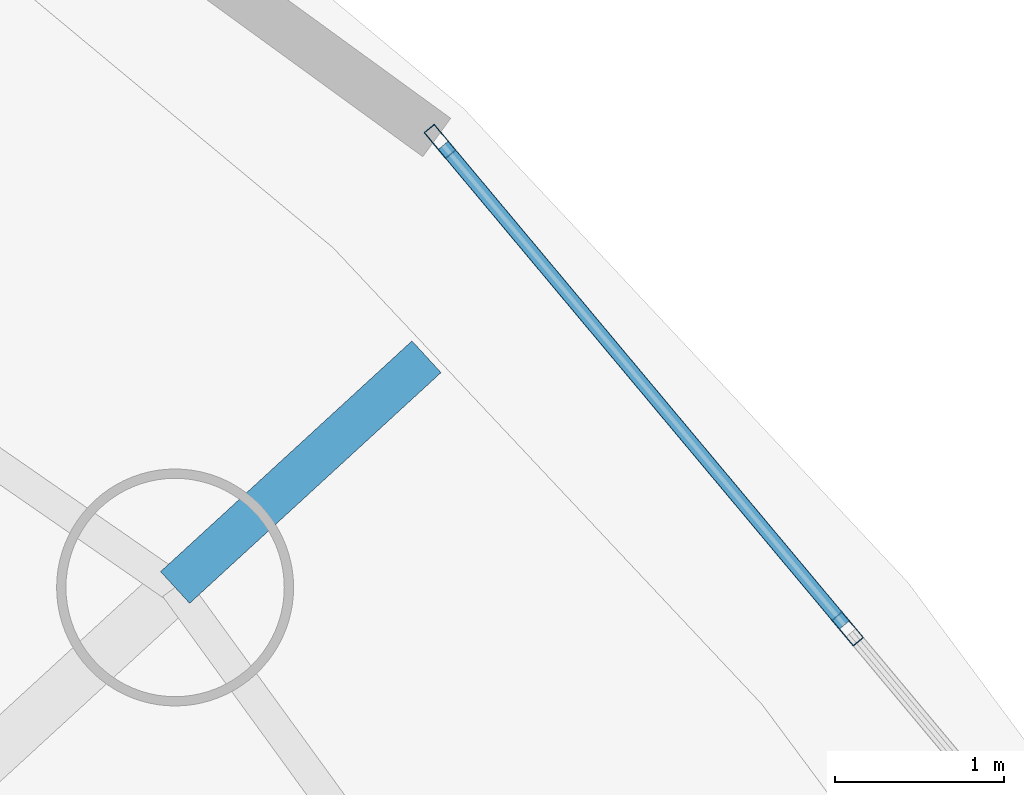
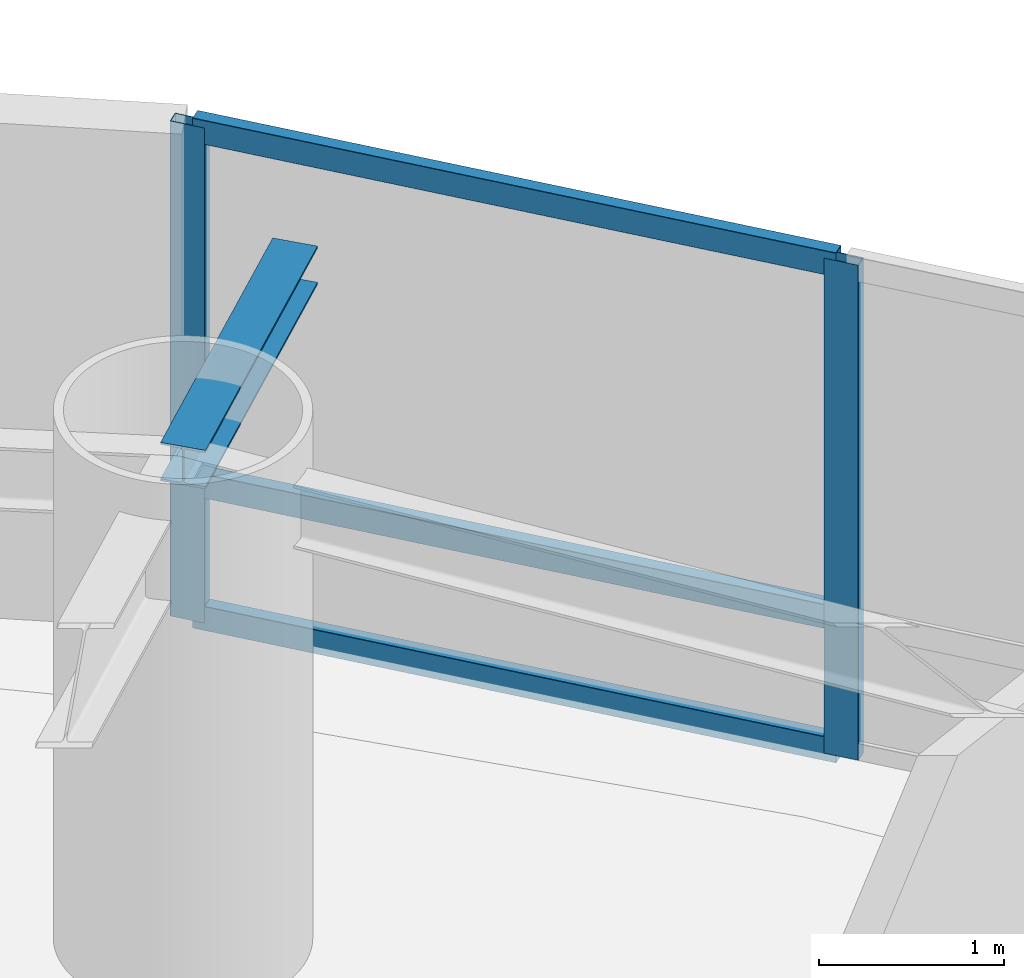
# One storey, part 11 of 20: 5 members, 1 beam, 1 element without a shape of its own.
"""IFC4 building model written with IfcOpenShell, lengths in metres."""

from ifc_helpers import new_model, si_unit, direction, frame, origin, origin_2d, place, context, subcontext, project, spatial, hollow_rectangle, i_section, extrude, material, layer, layer_set, material_profile, profile_set, type_object, element, aggregate, save


model = new_model("IFC4")

# Units and contexts
model_context = context("Model", 3, precision=1e-05, world=origin(), true_north=direction((0.0, 1.0)))
body_context = subcontext(model_context, "Body", "Model", "MODEL_VIEW")
ifc_project = project(units=[si_unit("LENGTHUNIT", "METRE"), si_unit("AREAUNIT", "SQUARE_METRE"), si_unit("VOLUMEUNIT", "CUBIC_METRE"), si_unit("PLANEANGLEUNIT", "RADIAN"), si_unit("MASSUNIT", "GRAM", prefix="KILO")], contexts=[model_context])

# Site, building, storey
site_placement = place(None, origin())
site = spatial("IfcSite", under=ifc_project, at=site_placement, CompositionType="ELEMENT")
building_placement = place(site_placement, origin())
building = spatial("IfcBuilding", under=site, at=building_placement, Name="Bramvorn Convention Spire", CompositionType="ELEMENT")
storey_placement = place(building_placement, frame((0.0, 0.0, 144.800048828125)))
storey = spatial("IfcBuildingStorey", under=building, at=storey_placement, Name="L36", CompositionType="ELEMENT", Elevation=144.800048828125)

# Beam
ifc_material_1 = material(Name="Steel CSA G40.21 Grade 350 (350W)", Category="steel")
ifc_material_profile_1 = material_profile(ifc_material_1, i_section(OverallWidth=0.25390625, OverallDepth=0.2529296875, WebThickness=0.008544921875, FlangeThickness=0.01416015625, FilletRadius=0.011962890625, at=origin_2d()))
ifc_profile_set_1 = profile_set([ifc_material_profile_1], Name="Steel CSA G40.21 Grade 350 (350W) - W250X73")
beam_type = type_object("IfcBeamType", Name="BM-W250X73", PredefinedType="BEAM", material=ifc_profile_set_1)
beam_placement = place(storey_placement, frame((54.534912109375, 38.299072265625, 3.133544921875), z_axis=(0.736792095724, 0.676119373838, 0.0), x_axis=(-0.676119373838, 0.736792095724, 0.0)))
element("IfcBeam", 1, at=beam_placement, inside=storey, type_object=beam_type, Name="L36 slab-edge cantilever tip beam MC04", PredefinedType="BEAM", context=body_context, shape_type="SweptSolid", body=[
    extrude(i_section(OverallWidth=0.25390625, OverallDepth=0.2529296875, WebThickness=0.008544921875, FlangeThickness=0.01416015625, FilletRadius=0.011962890625, at=origin_2d()), origin(), (0.0, 0.0, 1.0), 2.015869140625),
])

# Curtain wall, members
ifc_material_2 = material(Name="Anodised Bronze Unitised Curtain Wall", Category="aluminium")
ifc_layer = layer(ifc_material_2, 0.179931640625)
ifc_layer_set = layer_set([ifc_layer], Name="Anodised Bronze Unitised Curtain Wall - CW-HTL-FRIT")
curtain_wall_type = type_object("IfcCurtainWallType", Name="CW-HTL-FRIT", PredefinedType="USERDEFINED", material=ifc_layer_set)
curtain_wall_placement = place(storey_placement, origin())
curtain_wall = element("IfcCurtainWall", 2, at=curtain_wall_placement, inside=storey, type_object=curtain_wall_type, Name="L36 fritted glass curtain wall 05", ObjectType="UNITISED CURTAIN WALL", PredefinedType="USERDEFINED")
ifc_material_3 = material(Name="Anodised Bronze Aluminium 6063-T6", Category="aluminium")
ifc_material_profile_2 = material_profile(ifc_material_3, hollow_rectangle(XDim=0.080078125, YDim=0.199951171875, WallThickness=0.00390625, InnerFilletRadius=0.0009765625, OuterFilletRadius=0.00390625, at=origin_2d()))
ifc_profile_set_2 = profile_set([ifc_material_profile_2], Name="Anodised Bronze Aluminium 6063-T6 - CWM80X200")
member_type_1 = type_object("IfcMemberType", Name="CW-MUL-180", PredefinedType="MULLION", material=ifc_profile_set_2)
member_1_placement = place(storey_placement, frame((56.099853515625, 40.9345703125, 0.0), z_axis=(0.0, 0.0, 1.0), x_axis=(0.767161148378, 0.641454419596, 0.0)))
member_1 = element("IfcMember", 3, at=member_1_placement, type_object=member_type_1, Name="CW2 mullion 1", PredefinedType="MULLION", context=body_context, shape_type="SweptSolid", body=[
    extrude(hollow_rectangle(XDim=0.080078125, YDim=0.199951171875, WallThickness=0.00390625, InnerFilletRadius=0.0009765625, OuterFilletRadius=0.00390625, at=origin_2d()), origin(), (0.0, 0.0, 1.0), 3.260009765625),
])
member_2_placement = place(storey_placement, frame((58.50830078125, 38.05419921875, 0.0), z_axis=(0.0, 0.0, 1.0), x_axis=(0.767161148378, 0.641454419596, 0.0)))
member_2 = element("IfcMember", 4, at=member_2_placement, type_object=member_type_1, Name="CW2 mullion 2", PredefinedType="MULLION", context=body_context, shape_type="SweptSolid", body=[
    extrude(hollow_rectangle(XDim=0.080078125, YDim=0.199951171875, WallThickness=0.00390625, InnerFilletRadius=0.0009765625, OuterFilletRadius=0.00390625, at=origin_2d()), origin(), (0.0, 0.0, 1.0), 3.260009765625),
])
ifc_material_profile_3 = material_profile(ifc_material_3, hollow_rectangle(XDim=0.080078125, YDim=0.159912109375, WallThickness=0.00390625, InnerFilletRadius=0.0009765625, OuterFilletRadius=0.00390625, at=origin_2d()))
ifc_profile_set_3 = profile_set([ifc_material_profile_3], Name="Anodised Bronze Aluminium 6063-T6 - CWT80X160")
member_type_2 = type_object("IfcMemberType", Name="CW-TRN-150", PredefinedType="USERDEFINED", material=ifc_profile_set_3)
member_3_placement = place(storey_placement, frame((56.119140625, 40.91162109375, 0.030029296875), z_axis=(0.641463996542, -0.767153140605, 0.0), x_axis=(0.767153140605, 0.641463996542, 0.0)))
member_3 = element("IfcMember", 5, at=member_3_placement, type_object=member_type_2, Name="CW2 transom 1.1", ObjectType="TRANSOM", PredefinedType="USERDEFINED", context=body_context, shape_type="SweptSolid", body=[
    extrude(hollow_rectangle(XDim=0.080078125, YDim=0.159912109375, WallThickness=0.00390625, InnerFilletRadius=0.0009765625, OuterFilletRadius=0.00390625, at=origin_2d()), origin(), (0.0, 0.0, 1.0), 3.694580078125),
])
member_4_placement = place(storey_placement, frame((56.119140625, 40.91162109375, 0.89990234375), z_axis=(0.641463996542, -0.767153140605, 0.0), x_axis=(0.767153140605, 0.641463996542, 0.0)))
member_4 = element("IfcMember", 6, at=member_4_placement, type_object=member_type_2, Name="CW2 transom 1.2", ObjectType="TRANSOM", PredefinedType="USERDEFINED", context=body_context, shape_type="SweptSolid", body=[
    extrude(hollow_rectangle(XDim=0.080078125, YDim=0.159912109375, WallThickness=0.00390625, InnerFilletRadius=0.0009765625, OuterFilletRadius=0.00390625, at=origin_2d()), origin(), (0.0, 0.0, 1.0), 3.694580078125),
])
member_5_placement = place(storey_placement, frame((56.119140625, 40.91162109375, 3.22998046875), z_axis=(0.641463996542, -0.767153140605, 0.0), x_axis=(0.767153140605, 0.641463996542, 0.0)))
member_5 = element("IfcMember", 7, at=member_5_placement, type_object=member_type_2, Name="CW2 transom 1.3", ObjectType="TRANSOM", PredefinedType="USERDEFINED", context=body_context, shape_type="SweptSolid", body=[
    extrude(hollow_rectangle(XDim=0.080078125, YDim=0.159912109375, WallThickness=0.00390625, InnerFilletRadius=0.0009765625, OuterFilletRadius=0.00390625, at=origin_2d()), origin(), (0.0, 0.0, 1.0), 3.694580078125),
])
aggregate(curtain_wall, [member_1, member_2, member_3, member_4, member_5])

save(model, "model.ifc")
